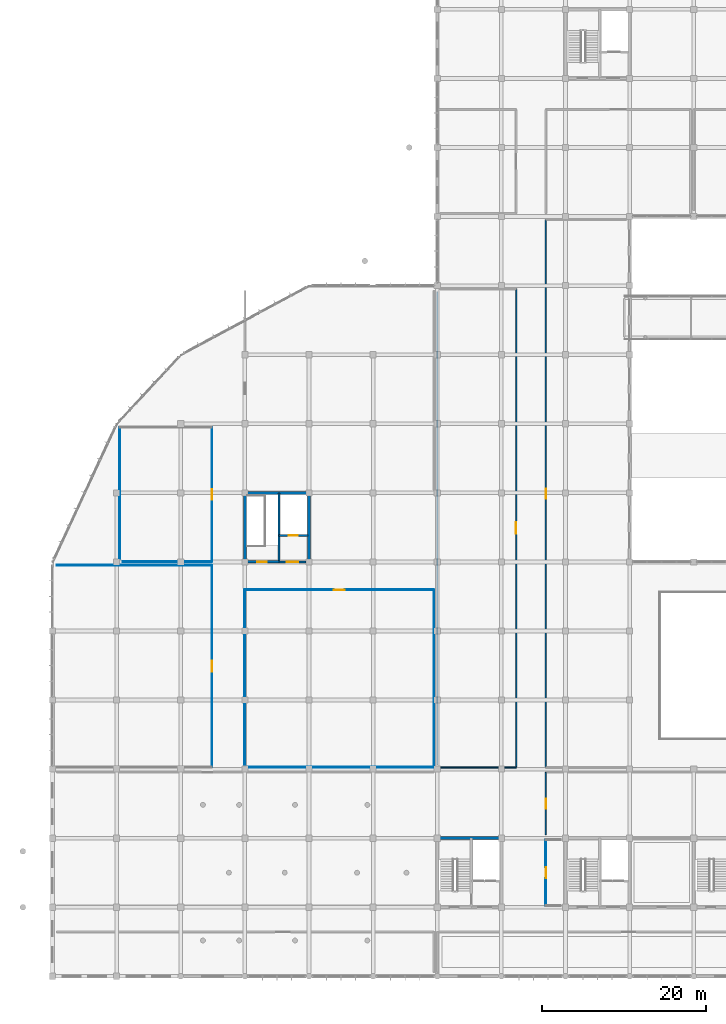
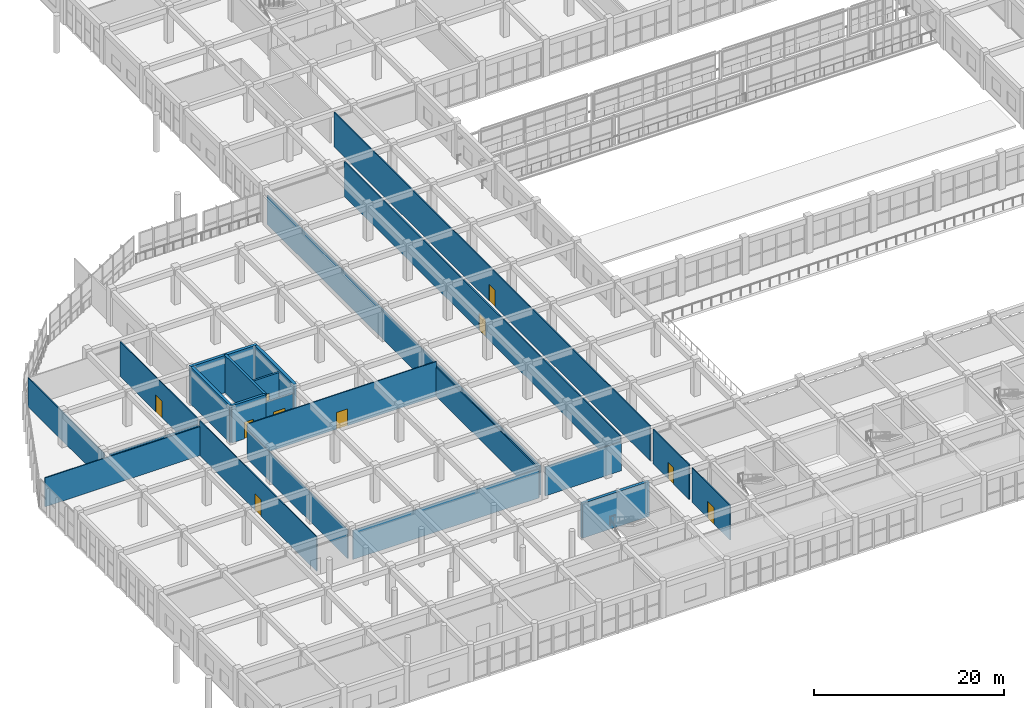
# One storey, part 151 of 167: 23 walls, 10 doors, 10 openings.
"""IFC4 building model written with IfcOpenShell, lengths in metres."""

from ifc_helpers import new_model, si_unit, direction, frame, frame_2d, origin, place, context, subcontext, project, spatial, rectangle, extrude, material, layer, layer_set, type_object, element, fill, save


model = new_model("IFC4")

# Units and contexts
model_context = context("Model", 3, precision=1e-05, world=origin(), true_north=direction((0.0, 1.0)))
body_context = subcontext(model_context, "Body", "Model", "MODEL_VIEW")
ifc_project = project(units=[si_unit("LENGTHUNIT", "METRE"), si_unit("AREAUNIT", "SQUARE_METRE"), si_unit("VOLUMEUNIT", "CUBIC_METRE"), si_unit("PLANEANGLEUNIT", "RADIAN"), si_unit("MASSUNIT", "GRAM", prefix="KILO")], contexts=[model_context])

# Site, building, storey
site_placement = place(None, origin())
site = spatial("IfcSite", under=ifc_project, at=site_placement, CompositionType="ELEMENT")
building_placement = place(site_placement, origin())
building = spatial("IfcBuilding", under=site, at=building_placement, Name="Zizhar Promenade General Hospital", CompositionType="ELEMENT")
storey_placement = place(building_placement, frame((0.0, 0.0, 9.60009765625)))
storey = spatial("IfcBuildingStorey", under=building, at=storey_placement, Name="L02", CompositionType="ELEMENT", Elevation=9.60009765625)

# Wall, opening, door
ifc_material_1 = material(Name="Chemical-resistant laboratory partition")
ifc_layer_1 = layer(ifc_material_1, 0.135009765625)
ifc_layer_set_1 = layer_set([ifc_layer_1], Name="Chemical-resistant laboratory partition")
wall_type_1 = type_object("IfcWallType", Name="IW-LAB-135", PredefinedType="PARTITIONING", material=ifc_layer_set_1)
wall_1_placement = place(storey_placement, frame((60.0, 17.199951171875, 0.0), z_axis=(0.0, 0.0, 1.0), x_axis=(0.0, 1.0, 0.0)))
wall_1 = element("IfcWall", 1, at=wall_1_placement, inside=storey, type_object=wall_type_1, Name="Molecular Diagnostics and Cytology Laboratory W Partition", PredefinedType="PARTITIONING", context=body_context, shape_type="SweptSolid", body=[
    extrude(rectangle(XDim=7.60009765625, YDim=0.135009765625, at=frame_2d((3.800048828125, 0.0))), origin(), (0.0, 0.0, 1.0), 4.4599609375),
])
opening_1_placement = place(wall_1_placement, frame((3.199951171875, 0.0, 0.0)))
opening_1 = element("IfcOpeningElement", 2, at=opening_1_placement, cuts=wall_1, Name="Opening D-16", PredefinedType="OPENING", context=body_context, shape_type="SweptSolid", body=[
    extrude(rectangle(XDim=1.199951171875, YDim=2.14990234375, at=frame_2d((0.60009765625, 1.074951171875))), frame((0.0, 0.07763671875, 0.0), z_axis=(0.0, -1.0, 0.0), x_axis=(1.0, 0.0, 0.0)), (0.0, 0.0, 1.0), 0.155029296875),
])
ifc_material_2 = material(Name="Fire-rated timber laboratory leaf", Category="wood")
door_type_1 = type_object("IfcDoorType", Name="DR-LAB-120x215", OperationType="NOTDEFINED", PredefinedType="DOOR", material=ifc_material_2)
door_1_placement = place(opening_1_placement, origin())
door_1 = element("IfcDoor", 3, at=door_1_placement, inside=storey, type_object=door_type_1, Name="Molecular Diagnostics and Cytology Laboratory Door", OperationType="SINGLE_SWING_LEFT", OverallHeight=2.14990234375, OverallWidth=1.199951171875, PredefinedType="DOOR", context=body_context, shape_type="SweptSolid", body=[
    extrude(rectangle(XDim=1.199951171875, YDim=2.14990234375, at=frame_2d((0.60009765625, 1.074951171875))), frame((0.0, 0.02490234375, 0.0), z_axis=(0.0, -1.0, 0.0), x_axis=(1.0, 0.0, 0.0)), (0.0, 0.0, 1.0), 0.050048828125),
])
fill(opening_1, door_1)

wall_2_placement = place(storey_placement, frame((60.0, 25.39990234375, 0.0), z_axis=(0.0, 0.0, 1.0), x_axis=(0.0, 1.0, 0.0)))
wall_2 = element("IfcWall", 4, at=wall_2_placement, inside=storey, type_object=wall_type_1, Name="Sterile Instrument Preparation Suite W Partition", PredefinedType="PARTITIONING", context=body_context, shape_type="SweptSolid", body=[
    extrude(rectangle(XDim=66.60009765625, YDim=0.135009765625, at=frame_2d((33.300048828125, 0.0))), origin(), (0.0, 0.0, 1.0), 4.4599609375),
])
opening_2_placement = place(wall_2_placement, frame((32.699951171875, 0.0, 0.0)))
opening_2 = element("IfcOpeningElement", 5, at=opening_2_placement, cuts=wall_2, Name="Opening D-16", PredefinedType="OPENING", context=body_context, shape_type="SweptSolid", body=[
    extrude(rectangle(XDim=1.199951171875, YDim=2.14990234375, at=frame_2d((0.60009765625, 1.074951171875))), frame((0.0, 0.07763671875, 0.0), z_axis=(0.0, -1.0, 0.0), x_axis=(1.0, 0.0, 0.0)), (0.0, 0.0, 1.0), 0.155029296875),
])
door_2_placement = place(opening_2_placement, origin())
door_2 = element("IfcDoor", 6, at=door_2_placement, inside=storey, type_object=door_type_1, Name="Sterile Instrument Preparation Suite Door", OperationType="SINGLE_SWING_LEFT", OverallHeight=2.14990234375, OverallWidth=1.199951171875, PredefinedType="DOOR", context=body_context, shape_type="SweptSolid", body=[
    extrude(rectangle(XDim=1.199951171875, YDim=2.14990234375, at=frame_2d((0.60009765625, 1.074951171875))), frame((0.0, 0.02490234375, 0.0), z_axis=(0.0, -1.0, 0.0), x_axis=(1.0, 0.0, 0.0)), (0.0, 0.0, 1.0), 0.050048828125),
])
fill(opening_2, door_2)

ifc_material_3 = material(Name="Concrete C35/45", Category="concrete")
ifc_layer_2 = layer(ifc_material_3, 0.215087890625)
ifc_layer_set_2 = layer_set([ifc_layer_2], Name="Concrete C35/45")
wall_type_2 = type_object("IfcWallType", Name="IW-LOBBY-215", PredefinedType="STANDARD", material=ifc_layer_set_2)
wall_3_placement = place(storey_placement, frame((27.550048828125, 50.39990234375, 0.0), z_axis=(0.0, 0.0, 1.0), x_axis=(1.0, 0.0, 0.0)))
wall_3 = element("IfcWall", 7, at=wall_3_placement, inside=storey, type_object=wall_type_2, Name="Core C1 Lift Lobby South Fire Wall (L02)", PredefinedType="STANDARD", context=body_context, shape_type="SweptSolid", body=[
    extrude(rectangle(XDim=3.2900390625, YDim=0.215087890625, at=frame_2d((1.64501953125, 0.0))), origin(), (0.0, 0.0, 1.0), 3.72998046875),
])
opening_3_placement = place(wall_3_placement, frame((0.925048828125, 0.0, 0.0)))
opening_3 = element("IfcOpeningElement", 8, at=opening_3_placement, cuts=wall_3, Name="Opening D-23", PredefinedType="OPENING", context=body_context, shape_type="SweptSolid", body=[
    extrude(rectangle(XDim=1.43994140625, YDim=2.199951171875, at=frame_2d((0.719970703125, 1.10009765625))), frame((0.0, 0.11767578125, 0.0), z_axis=(0.0, -1.0, 0.0), x_axis=(1.0, 0.0, 0.0)), (0.0, 0.0, 1.0), 0.235107421875),
])
ifc_material_4 = material(Name="Fire-rated timber lift lobby pair", Category="wood")
door_type_2 = type_object("IfcDoorType", Name="DR-LOBBY-PR-144x220", OperationType="DOUBLE_DOOR_SINGLE_SWING", PredefinedType="DOOR", material=ifc_material_4)
door_3_placement = place(opening_3_placement, origin())
door_3 = element("IfcDoor", 9, at=door_3_placement, inside=storey, type_object=door_type_2, Name="Core C1 Protected Lift Lobby Door (L02)", OperationType="DOUBLE_DOOR_SINGLE_SWING", OverallHeight=2.199951171875, OverallWidth=1.43994140625, PredefinedType="DOOR", context=body_context, shape_type="SweptSolid", body=[
    extrude(rectangle(XDim=1.43994140625, YDim=2.199951171875, at=frame_2d((0.719970703125, 1.10009765625))), frame((0.0, 0.02490234375, 0.0), z_axis=(0.0, -1.0, 0.0), x_axis=(1.0, 0.0, 0.0)), (0.0, 0.0, 1.0), 0.050048828125),
])
fill(opening_3, door_3)

ifc_material_5 = material(Name="Concrete C35/45", Category="concrete")
ifc_layer_3 = layer(ifc_material_5, 0.25)
ifc_layer_set_3 = layer_set([ifc_layer_3], Name="Concrete C35/45")
wall_type_3 = type_object("IfcWallType", Name="IW-SHAFT-250", PredefinedType="STANDARD", material=ifc_layer_set_3)
wall_4_placement = place(storey_placement, frame((27.550048828125, 53.60009765625, 0.0), z_axis=(0.0, 0.0, 1.0), x_axis=(1.0, 0.0, 0.0)))
wall_4 = element("IfcWall", 10, at=wall_4_placement, inside=storey, type_object=wall_type_3, Name="Core C1 Lift Shaft Landing Wall (L02)", PredefinedType="STANDARD", context=body_context, shape_type="SweptSolid", body=[
    extrude(rectangle(XDim=3.5, YDim=0.25, at=frame_2d((1.75, 0.0))), origin(), (0.0, 0.0, 1.0), 4.4599609375),
])
opening_4_placement = place(wall_4_placement, frame((1.199951171875, 0.0, 0.0)))
opening_4 = element("IfcOpeningElement", 11, at=opening_4_placement, cuts=wall_4, Name="Opening LD-11", PredefinedType="OPENING", context=body_context, shape_type="SweptSolid", body=[
    extrude(rectangle(XDim=1.10009765625, YDim=2.199951171875, at=frame_2d((0.550048828125, 1.10009765625))), frame((0.0, 0.135009765625, 0.0), z_axis=(0.0, -1.0, 0.0), x_axis=(1.0, 0.0, 0.0)), (0.0, 0.0, 1.0), 0.27001953125),
])
ifc_material_6 = material(Name="Stainless Steel S355 passenger lift landing door", Category="steel")
door_type_3 = type_object("IfcDoorType", Name="DR-LIFT-LD11", OperationType="SLIDING_TO_LEFT", PredefinedType="DOOR", material=ifc_material_6)
door_4_placement = place(opening_4_placement, origin())
door_4 = element("IfcDoor", 12, at=door_4_placement, inside=storey, type_object=door_type_3, Name="Lift LP-01 Sliding Landing Door (L02)", OperationType="SLIDING_TO_LEFT", OverallHeight=2.199951171875, OverallWidth=1.10009765625, PredefinedType="DOOR", context=body_context, shape_type="SweptSolid", body=[
    extrude(rectangle(XDim=1.10009765625, YDim=2.199951171875, at=frame_2d((0.550048828125, 1.10009765625))), frame((0.0, 0.02490234375, 0.0), z_axis=(0.0, -1.0, 0.0), x_axis=(1.0, 0.0, 0.0)), (0.0, 0.0, 1.0), 0.050048828125),
])
fill(opening_4, door_4)

# Wall
ifc_material_7 = material(Name="Clean utility gypsum partition")
ifc_layer_4 = layer(ifc_material_7, 0.114990234375)
ifc_layer_set_4 = layer_set([ifc_layer_4], Name="Clean utility gypsum partition")
wall_type_4 = type_object("IfcWallType", Name="IW-STR-115", PredefinedType="PARTITIONING", material=ifc_layer_set_4)
wall_5_placement = place(storey_placement, frame((0.5, 50.0, 0.0), z_axis=(0.0, 0.0, 1.0), x_axis=(1.0, 0.0, 0.0)))
element("IfcWall", 13, at=wall_5_placement, inside=storey, type_object=wall_type_4, Name="Cardiology Non-Invasive Diagnostics Suite N Partition", PredefinedType="PARTITIONING", context=body_context, shape_type="SweptSolid", body=[
    extrude(rectangle(XDim=18.89990234375, YDim=0.114990234375, at=frame_2d((9.449951171875, 0.0))), origin(), (0.0, 0.0, 1.0), 3.72998046875),
])

# Wall, opening, door
wall_6_placement = place(storey_placement, frame((19.39990234375, 25.39990234375, 0.0), z_axis=(0.0, 0.0, 1.0), x_axis=(0.0, 1.0, 0.0)))
wall_6 = element("IfcWall", 14, at=wall_6_placement, inside=storey, type_object=wall_type_4, Name="Cardiology Non-Invasive Diagnostics Suite E Partition", PredefinedType="PARTITIONING", context=body_context, shape_type="SweptSolid", body=[
    extrude(rectangle(XDim=24.60009765625, YDim=0.114990234375, at=frame_2d((12.300048828125, 0.0))), origin(), (0.0, 0.0, 1.0), 4.4599609375),
])
opening_5_placement = place(wall_6_placement, frame((11.639892578125, 0.0, 0.0)))
opening_5 = element("IfcOpeningElement", 15, at=opening_5_placement, cuts=wall_6, Name="Opening D-26", PredefinedType="OPENING", context=body_context, shape_type="SweptSolid", body=[
    extrude(rectangle(XDim=1.320068359375, YDim=2.14990234375, at=frame_2d((0.66015625, 1.074951171875))), frame((0.0, 0.0673828125, 0.0), z_axis=(0.0, -1.0, 0.0), x_axis=(1.0, 0.0, 0.0)), (0.0, 0.0, 1.0), 0.135009765625),
])
ifc_material_8 = material(Name="Fire-rated timber store leaf", Category="wood")
door_type_4 = type_object("IfcDoorType", Name="DR-STORE-132x215", OperationType="NOTDEFINED", PredefinedType="DOOR", material=ifc_material_8)
door_5_placement = place(opening_5_placement, origin())
door_5 = element("IfcDoor", 16, at=door_5_placement, inside=storey, type_object=door_type_4, Name="Cardiology Non-Invasive Diagnostics Suite Door", OperationType="SINGLE_SWING_RIGHT", OverallHeight=2.14990234375, OverallWidth=1.320068359375, PredefinedType="DOOR", context=body_context, shape_type="SweptSolid", body=[
    extrude(rectangle(XDim=1.320068359375, YDim=2.14990234375, at=frame_2d((0.66015625, 1.074951171875))), frame((0.0, 0.02490234375, 0.0), z_axis=(0.0, -1.0, 0.0), x_axis=(1.0, 0.0, 0.0)), (0.0, 0.0, 1.0), 0.050048828125),
])
fill(opening_5, door_5)

# Walls
wall_7_placement = place(storey_placement, frame((8.56005859375, 50.39990234375, 0.0), z_axis=(0.0, 0.0, 1.0), x_axis=(1.0, 0.0, 0.0)))
element("IfcWall", 17, at=wall_7_placement, inside=storey, type_object=wall_type_4, Name="Pulmonary Endoscopy and Sleep Study Suite S Partition", PredefinedType="PARTITIONING", context=body_context, shape_type="SweptSolid", body=[
    extrude(rectangle(XDim=10.83984375, YDim=0.114990234375, at=frame_2d((5.419921875, 0.0))), origin(), (0.0, 0.0, 1.0), 3.72998046875),
])
wall_8_placement = place(storey_placement, frame((8.199951171875, 50.760009765625, 0.0), z_axis=(0.0, 0.0, 1.0), x_axis=(0.0, 1.0, 0.0)))
element("IfcWall", 18, at=wall_8_placement, inside=storey, type_object=wall_type_4, Name="Pulmonary Endoscopy and Sleep Study Suite W Partition", PredefinedType="PARTITIONING", context=body_context, shape_type="SweptSolid", body=[
    extrude(rectangle(XDim=16.0400390625, YDim=0.114990234375, at=frame_2d((8.02001953125, 0.0))), origin(), (0.0, 0.0, 1.0), 3.72998046875),
])

# Wall, opening, door
wall_9_placement = place(storey_placement, frame((19.39990234375, 50.39990234375, 0.0), z_axis=(0.0, 0.0, 1.0), x_axis=(0.0, 1.0, 0.0)))
wall_9 = element("IfcWall", 19, at=wall_9_placement, inside=storey, type_object=wall_type_4, Name="Pulmonary Endoscopy and Sleep Study Suite E Partition", PredefinedType="PARTITIONING", context=body_context, shape_type="SweptSolid", body=[
    extrude(rectangle(XDim=16.400146484375, YDim=0.114990234375, at=frame_2d((8.2001953125, 0.0))), origin(), (0.0, 0.0, 1.0), 4.4599609375),
])
opening_6_placement = place(wall_9_placement, frame((7.5400390625, 0.0, 0.0)))
opening_6 = element("IfcOpeningElement", 20, at=opening_6_placement, cuts=wall_9, Name="Opening D-26", PredefinedType="OPENING", context=body_context, shape_type="SweptSolid", body=[
    extrude(rectangle(XDim=1.320068359375, YDim=2.14990234375, at=frame_2d((0.66015625, 1.074951171875))), frame((0.0, 0.0673828125, 0.0), z_axis=(0.0, -1.0, 0.0), x_axis=(1.0, 0.0, 0.0)), (0.0, 0.0, 1.0), 0.135009765625),
])
door_6_placement = place(opening_6_placement, origin())
door_6 = element("IfcDoor", 21, at=door_6_placement, inside=storey, type_object=door_type_4, Name="Pulmonary Endoscopy and Sleep Study Suite Door", OperationType="SINGLE_SWING_LEFT", OverallHeight=2.14990234375, OverallWidth=1.320068359375, PredefinedType="DOOR", context=body_context, shape_type="SweptSolid", body=[
    extrude(rectangle(XDim=1.320068359375, YDim=2.14990234375, at=frame_2d((0.66015625, 1.074951171875))), frame((0.0, 0.02490234375, 0.0), z_axis=(0.0, -1.0, 0.0), x_axis=(1.0, 0.0, 0.0)), (0.0, 0.0, 1.0), 0.050048828125),
])
fill(opening_6, door_6)

# Wall
wall_10_placement = place(storey_placement, frame((23.760009765625, 25.39990234375, 0.0), z_axis=(0.0, 0.0, 1.0), x_axis=(1.0, 0.0, 0.0)))
element("IfcWall", 22, at=wall_10_placement, inside=storey, type_object=wall_type_4, Name="Neurophysiology and EEG Diagnostic Suite S Partition", PredefinedType="PARTITIONING", context=body_context, shape_type="SweptSolid", body=[
    extrude(rectangle(XDim=22.639892578125, YDim=0.114990234375, at=frame_2d((11.31982421875, 0.0))), origin(), (0.0, 0.0, 1.0), 3.72998046875),
])

# Wall, opening, door
wall_11_placement = place(storey_placement, frame((23.39990234375, 47.0, 0.0), z_axis=(0.0, 0.0, 1.0), x_axis=(1.0, 0.0, 0.0)))
wall_11 = element("IfcWall", 23, at=wall_11_placement, inside=storey, type_object=wall_type_4, Name="Neurophysiology and EEG Diagnostic Suite N Partition", PredefinedType="PARTITIONING", context=body_context, shape_type="SweptSolid", body=[
    extrude(rectangle(XDim=23.0, YDim=0.114990234375, at=frame_2d((11.5, 0.0))), origin(), (0.0, 0.0, 1.0), 4.4599609375),
])
opening_7_placement = place(wall_11_placement, frame((10.840087890625, 0.0, 0.0)))
opening_7 = element("IfcOpeningElement", 24, at=opening_7_placement, cuts=wall_11, Name="Opening D-26", PredefinedType="OPENING", context=body_context, shape_type="SweptSolid", body=[
    extrude(rectangle(XDim=1.320068359375, YDim=2.14990234375, at=frame_2d((0.66015625, 1.074951171875))), frame((0.0, 0.0673828125, 0.0), z_axis=(0.0, -1.0, 0.0), x_axis=(1.0, 0.0, 0.0)), (0.0, 0.0, 1.0), 0.135009765625),
])
door_7_placement = place(opening_7_placement, origin())
door_7 = element("IfcDoor", 25, at=door_7_placement, inside=storey, type_object=door_type_4, Name="Neurophysiology and EEG Diagnostic Suite Door", OperationType="SINGLE_SWING_RIGHT", OverallHeight=2.14990234375, OverallWidth=1.320068359375, PredefinedType="DOOR", context=body_context, shape_type="SweptSolid", body=[
    extrude(rectangle(XDim=1.320068359375, YDim=2.14990234375, at=frame_2d((0.66015625, 1.074951171875))), frame((0.0, 0.02490234375, 0.0), z_axis=(0.0, -1.0, 0.0), x_axis=(1.0, 0.0, 0.0)), (0.0, 0.0, 1.0), 0.050048828125),
])
fill(opening_7, door_7)

# Walls
wall_12_placement = place(storey_placement, frame((23.39990234375, 25.760009765625, 0.0), z_axis=(0.0, 0.0, 1.0), x_axis=(0.0, 1.0, 0.0)))
element("IfcWall", 26, at=wall_12_placement, inside=storey, type_object=wall_type_4, Name="Neurophysiology and EEG Diagnostic Suite W Partition", PredefinedType="PARTITIONING", context=body_context, shape_type="SweptSolid", body=[
    extrude(rectangle(XDim=21.239990234375, YDim=0.114990234375, at=frame_2d((10.6201171875, 0.0))), origin(), (0.0, 0.0, 1.0), 3.71484375),
])
wall_13_placement = place(storey_placement, frame((46.39990234375, 25.39990234375, 0.0), z_axis=(0.0, 0.0, 1.0), x_axis=(0.0, 1.0, 0.0)))
element("IfcWall", 27, at=wall_13_placement, inside=storey, type_object=wall_type_4, Name="Neurophysiology and EEG Diagnostic Suite E Partition", PredefinedType="PARTITIONING", context=body_context, shape_type="SweptSolid", body=[
    extrude(rectangle(XDim=21.60009765625, YDim=0.114990234375, at=frame_2d((10.800048828125, 0.0))), origin(), (0.0, 0.0, 1.0), 3.72998046875),
])

# Wall, opening, door
wall_14_placement = place(storey_placement, frame((60.0, 8.60009765625, 0.0), z_axis=(0.0, 0.0, 1.0), x_axis=(0.0, 1.0, 0.0)))
wall_14 = element("IfcWall", 28, at=wall_14_placement, inside=storey, type_object=wall_type_4, Name="ICU Clean Utility L02 W Partition", PredefinedType="PARTITIONING", context=body_context, shape_type="SweptSolid", body=[
    extrude(rectangle(XDim=8.0, YDim=0.114990234375, at=frame_2d((4.0, 0.0))), origin(), (0.0, 0.0, 1.0), 4.4599609375),
])
opening_8_placement = place(wall_14_placement, frame((3.340087890625, 0.0, 0.0)))
opening_8 = element("IfcOpeningElement", 29, at=opening_8_placement, cuts=wall_14, Name="Opening D-26", PredefinedType="OPENING", context=body_context, shape_type="SweptSolid", body=[
    extrude(rectangle(XDim=1.320068359375, YDim=2.14990234375, at=frame_2d((0.66015625, 1.074951171875))), frame((0.0, 0.0673828125, 0.0), z_axis=(0.0, -1.0, 0.0), x_axis=(1.0, 0.0, 0.0)), (0.0, 0.0, 1.0), 0.135009765625),
])
door_8_placement = place(opening_8_placement, origin())
door_8 = element("IfcDoor", 30, at=door_8_placement, inside=storey, type_object=door_type_4, Name="ICU Clean Utility L02 Door", OperationType="SINGLE_SWING_LEFT", OverallHeight=2.14990234375, OverallWidth=1.320068359375, PredefinedType="DOOR", context=body_context, shape_type="SweptSolid", body=[
    extrude(rectangle(XDim=1.320068359375, YDim=2.14990234375, at=frame_2d((0.66015625, 1.074951171875))), frame((0.0, 0.02490234375, 0.0), z_axis=(0.0, -1.0, 0.0), x_axis=(1.0, 0.0, 0.0)), (0.0, 0.0, 1.0), 0.050048828125),
])
fill(opening_8, door_8)

# Walls
ifc_material_9 = material(Name="Acoustic patient bedroom partition")
ifc_layer_5 = layer(ifc_material_9, 0.155029296875)
ifc_layer_set_5 = layer_set([ifc_layer_5], Name="Acoustic patient bedroom partition")
wall_type_5 = type_object("IfcWallType", Name="IW-WARD-155", PredefinedType="PARTITIONING", material=ifc_layer_set_5)
wall_15_placement = place(storey_placement, frame((47.159912109375, 25.39990234375, 0.0), z_axis=(0.0, 0.0, 1.0), x_axis=(1.0, 0.0, 0.0)))
element("IfcWall", 31, at=wall_15_placement, inside=storey, type_object=wall_type_5, Name="Pre-Operative Surgical Holding Ward S Partition", PredefinedType="PARTITIONING", context=body_context, shape_type="SweptSolid", body=[
    extrude(rectangle(XDim=9.239990234375, YDim=0.155029296875, at=frame_2d((4.6201171875, 0.0))), origin(), (0.0, 0.0, 1.0), 3.72998046875),
])
wall_16_placement = place(storey_placement, frame((46.800048828125, 25.760009765625, 0.0), z_axis=(0.0, 0.0, 1.0), x_axis=(0.0, 1.0, 0.0)))
element("IfcWall", 32, at=wall_16_placement, inside=storey, type_object=wall_type_5, Name="Pre-Operative Surgical Holding Ward W Partition", PredefinedType="PARTITIONING", context=body_context, shape_type="SweptSolid", body=[
    extrude(rectangle(XDim=57.47998046875, YDim=0.155029296875, at=frame_2d((28.739990234375, 0.0))), origin(), (0.0, 0.0, 1.0), 3.71484375),
])

# Wall, opening, door
wall_17_placement = place(storey_placement, frame((56.39990234375, 25.39990234375, 0.0), z_axis=(0.0, 0.0, 1.0), x_axis=(0.0, 1.0, 0.0)))
wall_17 = element("IfcWall", 33, at=wall_17_placement, inside=storey, type_object=wall_type_5, Name="Pre-Operative Surgical Holding Ward E Partition", PredefinedType="PARTITIONING", context=body_context, shape_type="SweptSolid", body=[
    extrude(rectangle(XDim=58.2001953125, YDim=0.155029296875, at=frame_2d((29.10009765625, 0.0))), origin(), (0.0, 0.0, 1.0), 4.4599609375),
])
opening_9_placement = place(wall_17_placement, frame((28.39990234375, 0.0, 0.0)))
opening_9 = element("IfcOpeningElement", 34, at=opening_9_placement, cuts=wall_17, Name="Opening D-06", PredefinedType="OPENING", context=body_context, shape_type="SweptSolid", body=[
    extrude(rectangle(XDim=1.39990234375, YDim=2.199951171875, at=frame_2d((0.699951171875, 1.10009765625))), frame((0.0, 0.08740234375, 0.0), z_axis=(0.0, -1.0, 0.0), x_axis=(1.0, 0.0, 0.0)), (0.0, 0.0, 1.0), 0.175048828125),
])
ifc_material_10 = material(Name="Fire-rated timber hospital bed leaf", Category="wood")
door_type_5 = type_object("IfcDoorType", Name="DR-BED-WARD-140x220", OperationType="NOTDEFINED", PredefinedType="DOOR", material=ifc_material_10)
door_9_placement = place(opening_9_placement, origin())
door_9 = element("IfcDoor", 35, at=door_9_placement, inside=storey, type_object=door_type_5, Name="Pre-Operative Surgical Holding Ward Door", OperationType="SINGLE_SWING_RIGHT", OverallHeight=2.199951171875, OverallWidth=1.39990234375, PredefinedType="DOOR", context=body_context, shape_type="SweptSolid", body=[
    extrude(rectangle(XDim=1.39990234375, YDim=2.199951171875, at=frame_2d((0.699951171875, 1.10009765625))), frame((0.0, 0.02490234375, 0.0), z_axis=(0.0, -1.0, 0.0), x_axis=(1.0, 0.0, 0.0)), (0.0, 0.0, 1.0), 0.050048828125),
])
fill(opening_9, door_9)

ifc_material_11 = material(Name="Concrete C40/50", Category="concrete")
ifc_layer_6 = layer(ifc_material_11, 0.300048828125)
ifc_layer_set_6 = layer_set([ifc_layer_6], Name="Concrete C40/50")
wall_type_6 = type_object("IfcWallType", Name="WL-CORE-300", PredefinedType="SHEAR", material=ifc_layer_set_6)
wall_18_placement = place(storey_placement, frame((23.39990234375, 50.39990234375, 0.0), z_axis=(0.0, 0.0, 1.0), x_axis=(1.0, 0.0, 0.0)))
wall_18 = element("IfcWall", 36, at=wall_18_placement, inside=storey, type_object=wall_type_6, Name="Core C1 Stair South Fire Wall (L02)", PredefinedType="SHEAR", context=body_context, shape_type="SweptSolid", body=[
    extrude(rectangle(XDim=4.150146484375, YDim=0.300048828125, at=frame_2d((2.0751953125, 0.0))), origin(), (0.0, 0.0, 1.0), 4.7998046875),
])
opening_10_placement = place(wall_18_placement, frame((1.514892578125, 0.0, 0.0)))
opening_10 = element("IfcOpeningElement", 37, at=opening_10_placement, cuts=wall_18, Name="Opening D-21", PredefinedType="OPENING", context=body_context, shape_type="SweptSolid", body=[
    extrude(rectangle(XDim=1.1201171875, YDim=2.14990234375, at=frame_2d((0.56005859375, 1.074951171875))), frame((0.0, 0.16015625, 0.0), z_axis=(0.0, -1.0, 0.0), x_axis=(1.0, 0.0, 0.0)), (0.0, 0.0, 1.0), 0.320068359375),
])
ifc_material_12 = material(Name="Steel S355 protected stair door", Category="steel")
door_type_6 = type_object("IfcDoorType", Name="DR-STAIR-112x215", OperationType="NOTDEFINED", PredefinedType="DOOR", material=ifc_material_12)
door_10_placement = place(opening_10_placement, origin())
door_10 = element("IfcDoor", 38, at=door_10_placement, inside=storey, type_object=door_type_6, Name="Exit Stair ST-01 Door (L02)", OperationType="SINGLE_SWING_LEFT", OverallHeight=2.14990234375, OverallWidth=1.1201171875, PredefinedType="DOOR", context=body_context, shape_type="SweptSolid", body=[
    extrude(rectangle(XDim=1.1201171875, YDim=2.14990234375, at=frame_2d((0.56005859375, 1.074951171875))), frame((0.0, 0.02490234375, 0.0), z_axis=(0.0, -1.0, 0.0), x_axis=(1.0, 0.0, 0.0)), (0.0, 0.0, 1.0), 0.050048828125),
])
fill(opening_10, door_10)

# Walls
wall_19_placement = place(storey_placement, frame((27.550048828125, 50.39990234375, 0.0), z_axis=(0.0, 0.0, 1.0), x_axis=(0.0, 1.0, 0.0)))
element("IfcWall", 39, at=wall_19_placement, inside=storey, type_object=wall_type_6, Name="Core C1 Stair-Shaft Separation Wall (L02)", PredefinedType="SHEAR", context=body_context, shape_type="SweptSolid", body=[
    extrude(rectangle(XDim=8.400146484375, YDim=0.300048828125, at=frame_2d((4.2001953125, 0.0))), origin(), (0.0, 0.0, 1.0), 4.7998046875),
])
ifc_material_13 = material(Name="Concrete C40/50", Category="concrete")
ifc_layer_7 = layer(ifc_material_13, 0.35009765625)
ifc_layer_set_7 = layer_set([ifc_layer_7], Name="Concrete C40/50")
wall_type_7 = type_object("IfcWallType", Name="WL-CORE-350", PredefinedType="SHEAR", material=ifc_layer_set_7)
wall_20_placement = place(storey_placement, frame((23.22509765625, 58.800048828125, 0.0), z_axis=(0.0, 0.0, 1.0), x_axis=(1.0, 0.0, 0.0)))
element("IfcWall", 40, at=wall_20_placement, inside=storey, type_object=wall_type_7, Name="Core C1 North Shear Wall L02", PredefinedType="SHEAR", context=body_context, shape_type="SweptSolid", body=[
    extrude(rectangle(XDim=8.14990234375, YDim=0.35009765625, at=frame_2d((4.074951171875, 0.0))), origin(), (0.0, 0.0, 1.0), 4.7998046875),
])
for number, where, z_axis, x_axis, name in (
    (41, (23.39990234375, 50.39990234375, 0.0), (0.0, 0.0, 1.0), (0.0, 1.0, 0.0), "Core C1 West Shear Wall L02"),
    (42, (31.199951171875, 50.39990234375, 0.0), (0.0, 0.0, 1.0), (0.0, 1.0, 0.0), "Core C1 East Shear Wall L02"),
):
    element("IfcWall", number, at=place(storey_placement, frame(where, z_axis=z_axis, x_axis=x_axis)), inside=storey, type_object=wall_type_7, Name=name, PredefinedType="SHEAR", context=body_context, shape_type="SweptSolid", body=[
        extrude(rectangle(XDim=8.400146484375, YDim=0.35009765625, at=frame_2d((4.2001953125, 0.0))), origin(), (0.0, 0.0, 1.0), 4.7998046875),
    ])
wall_21_placement = place(storey_placement, frame((46.625, 16.800048828125, 0.0), z_axis=(0.0, 0.0, 1.0), x_axis=(1.0, 0.0, 0.0)))
element("IfcWall", 43, at=wall_21_placement, inside=storey, type_object=wall_type_7, Name="Core C2 North Shear Wall L02", PredefinedType="SHEAR", context=body_context, shape_type="SweptSolid", body=[
    extrude(rectangle(XDim=8.14990234375, YDim=0.35009765625, at=frame_2d((4.074951171875, 0.0))), origin(), (0.0, 0.0, 1.0), 4.47998046875),
])

save(model, "model.ifc")
